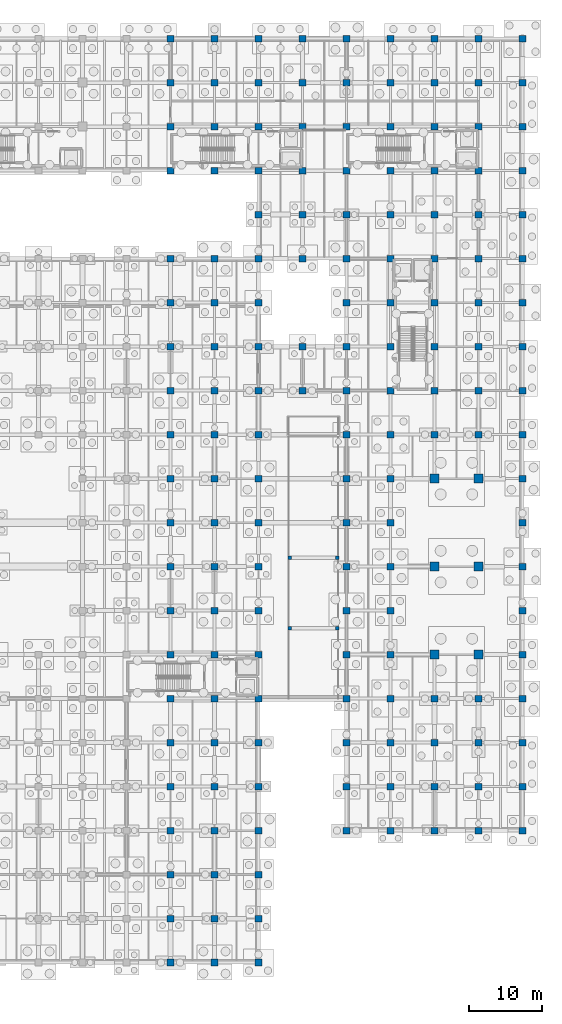
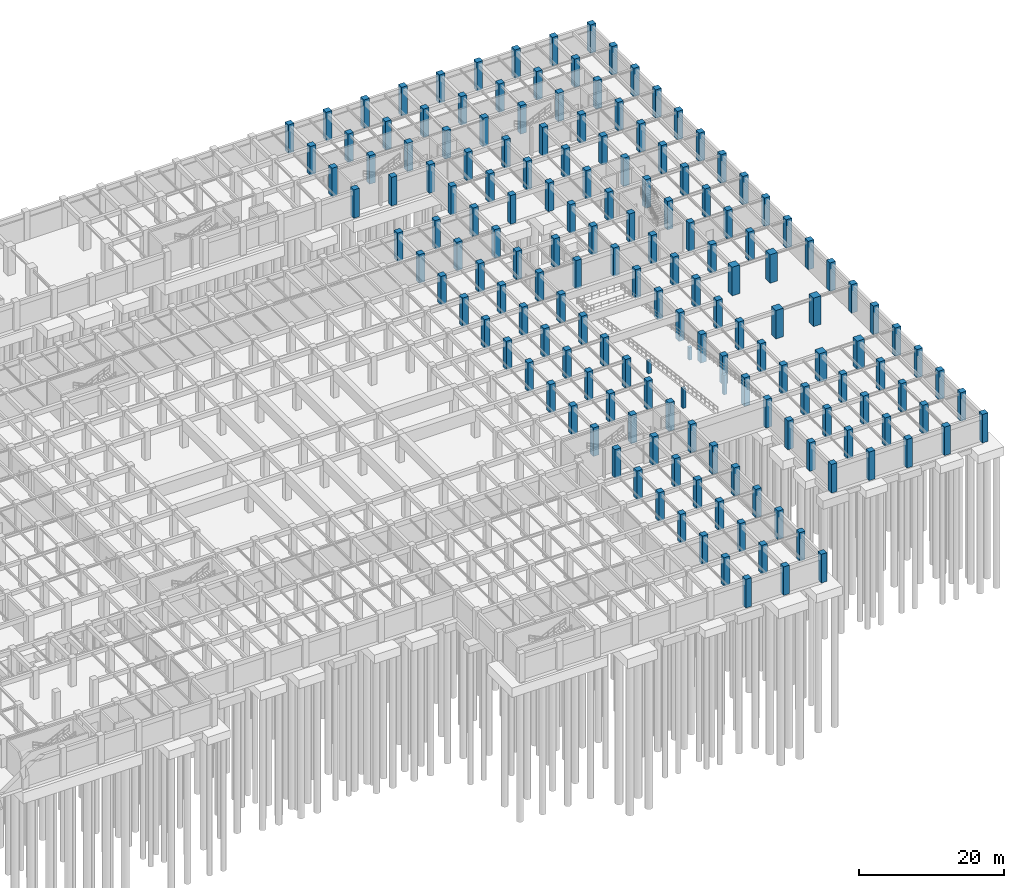
# One storey, part 25 of 54: 167 columns.
"""IFC4 building model written with IfcOpenShell, lengths in metres."""

from ifc_helpers import new_model, si_unit, direction, frame, origin, origin_2d, place, context, subcontext, project, spatial, rectangle, extrude, material, material_profile, profile_set, type_object, element, save


model = new_model("IFC4")

# Units and contexts
model_context = context("Model", 3, precision=1e-05, world=origin(), true_north=direction((0.0, 1.0)))
body_context = subcontext(model_context, "Body", "Model", "MODEL_VIEW")
ifc_project = project(units=[si_unit("LENGTHUNIT", "METRE"), si_unit("AREAUNIT", "SQUARE_METRE"), si_unit("VOLUMEUNIT", "CUBIC_METRE"), si_unit("PLANEANGLEUNIT", "RADIAN"), si_unit("MASSUNIT", "GRAM", prefix="KILO"), si_unit("THERMODYNAMICTEMPERATUREUNIT", "KELVIN"), si_unit("POWERUNIT", "WATT")], contexts=[model_context])

# Site, building, storey
site_placement = place(None, origin())
site = spatial("IfcSite", under=ifc_project, at=site_placement, CompositionType="ELEMENT")
building_placement = place(site_placement, origin())
building = spatial("IfcBuilding", under=site, at=building_placement, Name="Phaisarnlok Congress Hotel", CompositionType="ELEMENT")
storey_placement = place(building_placement, frame((0.0, 0.0, -4.800048828125)))
storey = spatial("IfcBuildingStorey", under=building, at=storey_placement, Name="B01", CompositionType="ELEMENT", Elevation=-4.800048828125)

# Columns
ifc_material = material(Name="Concrete C50/60", Category="concrete")
ifc_material_profile_1 = material_profile(ifc_material, rectangle(XDim=1.199951171875, YDim=1.199951171875, at=origin_2d()), Name="RC 1200x1200")
ifc_profile_set_1 = profile_set([ifc_material_profile_1], Name="Concrete C50/60")
column_type_1 = type_object("IfcColumnType", Name="COL-RC-1200", PredefinedType="COLUMN", material=ifc_profile_set_1)
for number, where, z_axis, x_axis, name in (
    (1, (168.0, 42.0, 0.0), (0.0, 0.0, 1.0), (1.0, 0.0, 0.0), "Column C-11 (B01)"),
    (2, (168.0, 54.0, 0.0), (0.0, 0.0, 1.0), (1.0, 0.0, 0.0), "Column C-11 (B01)"),
    (3, (168.0, 66.0, 0.0), (0.0, 0.0, 1.0), (1.0, 0.0, 0.0), "Column C-11 (B01)"),
    (4, (174.0, 42.0, 0.0), (0.0, 0.0, 1.0), (1.0, 0.0, 0.0), "Column C-11 (B01)"),
    (5, (174.0, 54.0, 0.0), (0.0, 0.0, 1.0), (1.0, 0.0, 0.0), "Column C-11 (B01)"),
    (6, (174.0, 66.0, 0.0), (0.0, 0.0, 1.0), (1.0, 0.0, 0.0), "Column C-11 (B01)"),
):
    element("IfcColumn", number, at=place(storey_placement, frame(where, z_axis=z_axis, x_axis=x_axis)), inside=storey, type_object=column_type_1, Name=name, PredefinedType="COLUMN", context=body_context, shape_type="SweptSolid", body=[
        extrude(rectangle(XDim=1.199951171875, YDim=1.199951171875, at=origin_2d()), origin(), (0.0, 0.0, 1.0), 4.800048828125),
    ])
ifc_material_profile_2 = material_profile(ifc_material, rectangle(XDim=0.5, YDim=0.5, at=origin_2d()), Name="RC 500x500")
ifc_profile_set_2 = profile_set([ifc_material_profile_2], Name="Concrete C50/60")
column_type_2 = type_object("IfcColumnType", Name="COL-RC-500", PredefinedType="COLUMN", material=ifc_profile_set_2)
for number, where, z_axis, x_axis, name in (
    (7, (148.25, 55.199951171875, 0.0), (0.0, 0.0, 1.0), (1.0, 0.0, 0.0), "Vehicle ramp support pier column C-01"),
    (8, (154.75, 55.199951171875, 0.0), (0.0, 0.0, 1.0), (1.0, 0.0, 0.0), "Vehicle ramp support pier column C-01"),
):
    element("IfcColumn", number, at=place(storey_placement, frame(where, z_axis=z_axis, x_axis=x_axis)), inside=storey, type_object=column_type_2, Name=name, PredefinedType="COLUMN", context=body_context, shape_type="SweptSolid", body=[
        extrude(rectangle(XDim=0.5, YDim=0.5, at=origin_2d()), origin(), (0.0, 0.0, 1.0), 2.10009765625),
    ])
for number, where, z_axis, x_axis, name in (
    (9, (148.25, 45.60009765625, 0.0), (0.0, 0.0, 1.0), (1.0, 0.0, 0.0), "Vehicle ramp support pier column C-01"),
    (10, (154.75, 45.60009765625, 0.0), (0.0, 0.0, 1.0), (1.0, 0.0, 0.0), "Vehicle ramp support pier column C-01"),
):
    element("IfcColumn", number, at=place(storey_placement, frame(where, z_axis=z_axis, x_axis=x_axis)), inside=storey, type_object=column_type_2, Name=name, PredefinedType="COLUMN", context=body_context, shape_type="SweptSolid", body=[
        extrude(rectangle(XDim=0.5, YDim=0.5, at=origin_2d()), origin(), (0.0, 0.0, 1.0), 3.300048828125),
    ])
ifc_material_profile_3 = material_profile(ifc_material, rectangle(XDim=0.89990234375, YDim=0.89990234375, at=origin_2d()), Name="RC 900x900")
ifc_profile_set_3 = profile_set([ifc_material_profile_3], Name="Concrete C50/60")
column_type_3 = type_object("IfcColumnType", Name="COL-RC-900", PredefinedType="COLUMN", material=ifc_profile_set_3)
for number, where, z_axis, x_axis, name in (
    (11, (132.0, 6.0, 0.0), (0.0, 0.0, 1.0), (1.0, 0.0, 0.0), "Column C-08 (B01)"),
    (12, (132.0, 12.0, 0.0), (0.0, 0.0, 1.0), (1.0, 0.0, 0.0), "Column C-08 (B01)"),
    (13, (132.0, 18.0, 0.0), (0.0, 0.0, 1.0), (1.0, 0.0, 0.0), "Column C-08 (B01)"),
    (14, (132.0, 24.0, 0.0), (0.0, 0.0, 1.0), (1.0, 0.0, 0.0), "Column C-08 (B01)"),
    (15, (132.0, 30.0, 0.0), (0.0, 0.0, 1.0), (1.0, 0.0, 0.0), "Column C-08 (B01)"),
    (16, (132.0, 36.0, 0.0), (0.0, 0.0, 1.0), (1.0, 0.0, 0.0), "Column C-08 (B01)"),
    (17, (132.0, 42.0, 0.0), (0.0, 0.0, 1.0), (1.0, 0.0, 0.0), "Column C-08 (B01)"),
    (18, (132.0, 48.0, 0.0), (0.0, 0.0, 1.0), (1.0, 0.0, 0.0), "Column C-08 (B01)"),
    (19, (132.0, 54.0, 0.0), (0.0, 0.0, 1.0), (1.0, 0.0, 0.0), "Column C-08 (B01)"),
    (20, (132.0, 60.0, 0.0), (0.0, 0.0, 1.0), (1.0, 0.0, 0.0), "Column C-08 (B01)"),
    (21, (132.0, 66.0, 0.0), (0.0, 0.0, 1.0), (1.0, 0.0, 0.0), "Column C-08 (B01)"),
    (22, (132.0, 72.0, 0.0), (0.0, 0.0, 1.0), (1.0, 0.0, 0.0), "Column C-08 (B01)"),
    (23, (132.0, 78.0, 0.0), (0.0, 0.0, 1.0), (1.0, 0.0, 0.0), "Column C-08 (B01)"),
    (24, (132.0, 84.0, 0.0), (0.0, 0.0, 1.0), (1.0, 0.0, 0.0), "Column C-08 (B01)"),
    (25, (132.0, 90.0, 0.0), (0.0, 0.0, 1.0), (1.0, 0.0, 0.0), "Column C-08 (B01)"),
    (26, (132.0, 96.0, 0.0), (0.0, 0.0, 1.0), (1.0, 0.0, 0.0), "Column C-08 (B01)"),
    (27, (132.0, 108.0, 0.0), (0.0, 0.0, 1.0), (1.0, 0.0, 0.0), "Column C-08 (B01)"),
    (28, (132.0, 114.0, 0.0), (0.0, 0.0, 1.0), (1.0, 0.0, 0.0), "Column C-08 (B01)"),
    (29, (132.0, 120.0, 0.0), (0.0, 0.0, 1.0), (1.0, 0.0, 0.0), "Column C-08 (B01)"),
    (30, (138.0, 6.0, 0.0), (0.0, 0.0, 1.0), (1.0, 0.0, 0.0), "Column C-08 (B01)"),
    (31, (138.0, 12.0, 0.0), (0.0, 0.0, 1.0), (1.0, 0.0, 0.0), "Column C-08 (B01)"),
    (32, (138.0, 18.0, 0.0), (0.0, 0.0, 1.0), (1.0, 0.0, 0.0), "Column C-08 (B01)"),
    (33, (138.0, 24.0, 0.0), (0.0, 0.0, 1.0), (1.0, 0.0, 0.0), "Column C-08 (B01)"),
    (34, (138.0, 30.0, 0.0), (0.0, 0.0, 1.0), (1.0, 0.0, 0.0), "Column C-08 (B01)"),
    (35, (138.0, 36.0, 0.0), (0.0, 0.0, 1.0), (1.0, 0.0, 0.0), "Column C-08 (B01)"),
    (36, (138.0, 42.0, 0.0), (0.0, 0.0, 1.0), (1.0, 0.0, 0.0), "Column C-08 (B01)"),
    (37, (138.0, 48.0, 0.0), (0.0, 0.0, 1.0), (1.0, 0.0, 0.0), "Column C-08 (B01)"),
    (38, (138.0, 54.0, 0.0), (0.0, 0.0, 1.0), (1.0, 0.0, 0.0), "Column C-08 (B01)"),
    (39, (138.0, 60.0, 0.0), (0.0, 0.0, 1.0), (1.0, 0.0, 0.0), "Column C-08 (B01)"),
    (40, (138.0, 66.0, 0.0), (0.0, 0.0, 1.0), (1.0, 0.0, 0.0), "Column C-08 (B01)"),
    (41, (138.0, 72.0, 0.0), (0.0, 0.0, 1.0), (1.0, 0.0, 0.0), "Column C-08 (B01)"),
    (42, (138.0, 78.0, 0.0), (0.0, 0.0, 1.0), (1.0, 0.0, 0.0), "Column C-08 (B01)"),
    (43, (138.0, 84.0, 0.0), (0.0, 0.0, 1.0), (1.0, 0.0, 0.0), "Column C-08 (B01)"),
    (44, (138.0, 90.0, 0.0), (0.0, 0.0, 1.0), (1.0, 0.0, 0.0), "Column C-08 (B01)"),
    (45, (138.0, 96.0, 0.0), (0.0, 0.0, 1.0), (1.0, 0.0, 0.0), "Column C-08 (B01)"),
    (46, (138.0, 108.0, 0.0), (0.0, 0.0, 1.0), (1.0, 0.0, 0.0), "Column C-08 (B01)"),
    (47, (138.0, 114.0, 0.0), (0.0, 0.0, 1.0), (1.0, 0.0, 0.0), "Column C-08 (B01)"),
    (48, (138.0, 120.0, 0.0), (0.0, 0.0, 1.0), (1.0, 0.0, 0.0), "Column C-08 (B01)"),
    (49, (144.0, 6.0, 0.0), (0.0, 0.0, 1.0), (1.0, 0.0, 0.0), "Column C-08 (B01)"),
    (50, (144.0, 12.0, 0.0), (0.0, 0.0, 1.0), (1.0, 0.0, 0.0), "Column C-08 (B01)"),
    (51, (144.0, 18.0, 0.0), (0.0, 0.0, 1.0), (1.0, 0.0, 0.0), "Column C-08 (B01)"),
    (52, (144.0, 24.0, 0.0), (0.0, 0.0, 1.0), (1.0, 0.0, 0.0), "Column C-08 (B01)"),
    (53, (144.0, 30.0, 0.0), (0.0, 0.0, 1.0), (1.0, 0.0, 0.0), "Column C-08 (B01)"),
    (54, (144.0, 36.0, 0.0), (0.0, 0.0, 1.0), (1.0, 0.0, 0.0), "Column C-08 (B01)"),
    (55, (144.0, 42.0, 0.0), (0.0, 0.0, 1.0), (1.0, 0.0, 0.0), "Column C-08 (B01)"),
    (56, (144.0, 48.0, 0.0), (0.0, 0.0, 1.0), (1.0, 0.0, 0.0), "Column C-08 (B01)"),
    (57, (144.0, 54.0, 0.0), (0.0, 0.0, 1.0), (1.0, 0.0, 0.0), "Column C-08 (B01)"),
    (58, (144.0, 60.0, 0.0), (0.0, 0.0, 1.0), (1.0, 0.0, 0.0), "Column C-08 (B01)"),
    (59, (144.0, 66.0, 0.0), (0.0, 0.0, 1.0), (1.0, 0.0, 0.0), "Column C-08 (B01)"),
    (60, (144.0, 72.0, 0.0), (0.0, 0.0, 1.0), (1.0, 0.0, 0.0), "Column C-08 (B01)"),
    (61, (144.0, 78.0, 0.0), (0.0, 0.0, 1.0), (1.0, 0.0, 0.0), "Column C-08 (B01)"),
    (62, (144.0, 84.0, 0.0), (0.0, 0.0, 1.0), (1.0, 0.0, 0.0), "Column C-08 (B01)"),
    (63, (144.0, 90.0, 0.0), (0.0, 0.0, 1.0), (1.0, 0.0, 0.0), "Column C-08 (B01)"),
    (64, (144.0, 96.0, 0.0), (0.0, 0.0, 1.0), (1.0, 0.0, 0.0), "Column C-08 (B01)"),
    (65, (144.0, 102.0, 0.0), (0.0, 0.0, 1.0), (1.0, 0.0, 0.0), "Column C-08 (B01)"),
    (66, (144.0, 108.0, 0.0), (0.0, 0.0, 1.0), (1.0, 0.0, 0.0), "Column C-08 (B01)"),
    (67, (144.0, 114.0, 0.0), (0.0, 0.0, 1.0), (1.0, 0.0, 0.0), "Column C-08 (B01)"),
    (68, (144.0, 120.0, 0.0), (0.0, 0.0, 1.0), (1.0, 0.0, 0.0), "Column C-08 (B01)"),
    (69, (150.0, 78.0, 0.0), (0.0, 0.0, 1.0), (1.0, 0.0, 0.0), "Column C-08 (B01)"),
    (70, (150.0, 84.0, 0.0), (0.0, 0.0, 1.0), (1.0, 0.0, 0.0), "Column C-08 (B01)"),
    (71, (150.0, 96.0, 0.0), (0.0, 0.0, 1.0), (1.0, 0.0, 0.0), "Column C-08 (B01)"),
    (72, (150.0, 102.0, 0.0), (0.0, 0.0, 1.0), (1.0, 0.0, 0.0), "Column C-08 (B01)"),
    (73, (150.0, 108.0, 0.0), (0.0, 0.0, 1.0), (1.0, 0.0, 0.0), "Column C-08 (B01)"),
    (74, (150.0, 114.0, 0.0), (0.0, 0.0, 1.0), (1.0, 0.0, 0.0), "Column C-08 (B01)"),
    (75, (150.0, 120.0, 0.0), (0.0, 0.0, 1.0), (1.0, 0.0, 0.0), "Column C-08 (B01)"),
    (76, (156.0, 18.0, 0.0), (0.0, 0.0, 1.0), (1.0, 0.0, 0.0), "Column C-08 (B01)"),
    (77, (156.0, 24.0, 0.0), (0.0, 0.0, 1.0), (1.0, 0.0, 0.0), "Column C-08 (B01)"),
    (78, (156.0, 30.0, 0.0), (0.0, 0.0, 1.0), (1.0, 0.0, 0.0), "Column C-08 (B01)"),
    (79, (156.0, 36.0, 0.0), (0.0, 0.0, 1.0), (1.0, 0.0, 0.0), "Column C-08 (B01)"),
    (80, (156.0, 42.0, 0.0), (0.0, 0.0, 1.0), (1.0, 0.0, 0.0), "Column C-08 (B01)"),
    (81, (156.0, 48.0, 0.0), (0.0, 0.0, 1.0), (1.0, 0.0, 0.0), "Column C-08 (B01)"),
    (82, (156.0, 54.0, 0.0), (0.0, 0.0, 1.0), (1.0, 0.0, 0.0), "Column C-08 (B01)"),
    (83, (156.0, 60.0, 0.0), (0.0, 0.0, 1.0), (1.0, 0.0, 0.0), "Column C-08 (B01)"),
    (84, (156.0, 66.0, 0.0), (0.0, 0.0, 1.0), (1.0, 0.0, 0.0), "Column C-08 (B01)"),
    (85, (156.0, 72.0, 0.0), (0.0, 0.0, 1.0), (1.0, 0.0, 0.0), "Column C-08 (B01)"),
    (86, (156.0, 78.0, 0.0), (0.0, 0.0, 1.0), (1.0, 0.0, 0.0), "Column C-08 (B01)"),
    (87, (156.0, 84.0, 0.0), (0.0, 0.0, 1.0), (1.0, 0.0, 0.0), "Column C-08 (B01)"),
    (88, (156.0, 90.0, 0.0), (0.0, 0.0, 1.0), (1.0, 0.0, 0.0), "Column C-08 (B01)"),
    (89, (156.0, 96.0, 0.0), (0.0, 0.0, 1.0), (1.0, 0.0, 0.0), "Column C-08 (B01)"),
    (90, (156.0, 102.0, 0.0), (0.0, 0.0, 1.0), (1.0, 0.0, 0.0), "Column C-08 (B01)"),
    (91, (156.0, 108.0, 0.0), (0.0, 0.0, 1.0), (1.0, 0.0, 0.0), "Column C-08 (B01)"),
    (92, (156.0, 114.0, 0.0), (0.0, 0.0, 1.0), (1.0, 0.0, 0.0), "Column C-08 (B01)"),
    (93, (156.0, 120.0, 0.0), (0.0, 0.0, 1.0), (1.0, 0.0, 0.0), "Column C-08 (B01)"),
    (94, (162.0, 18.0, 0.0), (0.0, 0.0, 1.0), (1.0, 0.0, 0.0), "Column C-08 (B01)"),
    (95, (162.0, 24.0, 0.0), (0.0, 0.0, 1.0), (1.0, 0.0, 0.0), "Column C-08 (B01)"),
    (96, (162.0, 30.0, 0.0), (0.0, 0.0, 1.0), (1.0, 0.0, 0.0), "Column C-08 (B01)"),
    (97, (162.0, 36.0, 0.0), (0.0, 0.0, 1.0), (1.0, 0.0, 0.0), "Column C-08 (B01)"),
    (98, (162.0, 42.0, 0.0), (0.0, 0.0, 1.0), (1.0, 0.0, 0.0), "Column C-08 (B01)"),
    (99, (162.0, 48.0, 0.0), (0.0, 0.0, 1.0), (1.0, 0.0, 0.0), "Column C-08 (B01)"),
    (100, (162.0, 54.0, 0.0), (0.0, 0.0, 1.0), (1.0, 0.0, 0.0), "Column C-08 (B01)"),
    (101, (162.0, 60.0, 0.0), (0.0, 0.0, 1.0), (1.0, 0.0, 0.0), "Column C-08 (B01)"),
    (102, (162.0, 66.0, 0.0), (0.0, 0.0, 1.0), (1.0, 0.0, 0.0), "Column C-08 (B01)"),
    (103, (162.0, 72.0, 0.0), (0.0, 0.0, 1.0), (1.0, 0.0, 0.0), "Column C-08 (B01)"),
    (104, (162.0, 78.0, 0.0), (0.0, 0.0, 1.0), (1.0, 0.0, 0.0), "Column C-08 (B01)"),
    (105, (162.0, 84.0, 0.0), (0.0, 0.0, 1.0), (1.0, 0.0, 0.0), "Column C-08 (B01)"),
    (106, (162.0, 90.0, 0.0), (0.0, 0.0, 1.0), (1.0, 0.0, 0.0), "Column C-08 (B01)"),
    (107, (162.0, 96.0, 0.0), (0.0, 0.0, 1.0), (1.0, 0.0, 0.0), "Column C-08 (B01)"),
    (108, (162.0, 102.0, 0.0), (0.0, 0.0, 1.0), (1.0, 0.0, 0.0), "Column C-08 (B01)"),
    (109, (162.0, 108.0, 0.0), (0.0, 0.0, 1.0), (1.0, 0.0, 0.0), "Column C-08 (B01)"),
    (110, (162.0, 114.0, 0.0), (0.0, 0.0, 1.0), (1.0, 0.0, 0.0), "Column C-08 (B01)"),
    (111, (162.0, 120.0, 0.0), (0.0, 0.0, 1.0), (1.0, 0.0, 0.0), "Column C-08 (B01)"),
    (112, (168.0, 18.0, 0.0), (0.0, 0.0, 1.0), (1.0, 0.0, 0.0), "Column C-08 (B01)"),
    (113, (168.0, 24.0, 0.0), (0.0, 0.0, 1.0), (1.0, 0.0, 0.0), "Column C-08 (B01)"),
    (114, (168.0, 30.0, 0.0), (0.0, 0.0, 1.0), (1.0, 0.0, 0.0), "Column C-08 (B01)"),
    (115, (168.0, 36.0, 0.0), (0.0, 0.0, 1.0), (1.0, 0.0, 0.0), "Column C-08 (B01)"),
    (116, (168.0, 72.0, 0.0), (0.0, 0.0, 1.0), (1.0, 0.0, 0.0), "Column C-08 (B01)"),
    (117, (168.0, 78.0, 0.0), (0.0, 0.0, 1.0), (1.0, 0.0, 0.0), "Column C-08 (B01)"),
    (118, (168.0, 84.0, 0.0), (0.0, 0.0, 1.0), (1.0, 0.0, 0.0), "Column C-08 (B01)"),
    (119, (168.0, 90.0, 0.0), (0.0, 0.0, 1.0), (1.0, 0.0, 0.0), "Column C-08 (B01)"),
    (120, (168.0, 96.0, 0.0), (0.0, 0.0, 1.0), (1.0, 0.0, 0.0), "Column C-08 (B01)"),
    (121, (168.0, 102.0, 0.0), (0.0, 0.0, 1.0), (1.0, 0.0, 0.0), "Column C-08 (B01)"),
    (122, (168.0, 108.0, 0.0), (0.0, 0.0, 1.0), (1.0, 0.0, 0.0), "Column C-08 (B01)"),
    (123, (168.0, 114.0, 0.0), (0.0, 0.0, 1.0), (1.0, 0.0, 0.0), "Column C-08 (B01)"),
    (124, (168.0, 120.0, 0.0), (0.0, 0.0, 1.0), (1.0, 0.0, 0.0), "Column C-08 (B01)"),
    (125, (174.0, 18.0, 0.0), (0.0, 0.0, 1.0), (1.0, 0.0, 0.0), "Column C-08 (B01)"),
    (126, (174.0, 24.0, 0.0), (0.0, 0.0, 1.0), (1.0, 0.0, 0.0), "Column C-08 (B01)"),
    (127, (174.0, 30.0, 0.0), (0.0, 0.0, 1.0), (1.0, 0.0, 0.0), "Column C-08 (B01)"),
    (128, (174.0, 36.0, 0.0), (0.0, 0.0, 1.0), (1.0, 0.0, 0.0), "Column C-08 (B01)"),
    (129, (174.0, 72.0, 0.0), (0.0, 0.0, 1.0), (1.0, 0.0, 0.0), "Column C-08 (B01)"),
    (130, (174.0, 78.0, 0.0), (0.0, 0.0, 1.0), (1.0, 0.0, 0.0), "Column C-08 (B01)"),
    (131, (174.0, 84.0, 0.0), (0.0, 0.0, 1.0), (1.0, 0.0, 0.0), "Column C-08 (B01)"),
    (132, (174.0, 90.0, 0.0), (0.0, 0.0, 1.0), (1.0, 0.0, 0.0), "Column C-08 (B01)"),
    (133, (174.0, 96.0, 0.0), (0.0, 0.0, 1.0), (1.0, 0.0, 0.0), "Column C-08 (B01)"),
    (134, (174.0, 102.0, 0.0), (0.0, 0.0, 1.0), (1.0, 0.0, 0.0), "Column C-08 (B01)"),
    (135, (174.0, 108.0, 0.0), (0.0, 0.0, 1.0), (1.0, 0.0, 0.0), "Column C-08 (B01)"),
    (136, (174.0, 114.0, 0.0), (0.0, 0.0, 1.0), (1.0, 0.0, 0.0), "Column C-08 (B01)"),
    (137, (174.0, 120.0, 0.0), (0.0, 0.0, 1.0), (1.0, 0.0, 0.0), "Column C-08 (B01)"),
):
    element("IfcColumn", number, at=place(storey_placement, frame(where, z_axis=z_axis, x_axis=x_axis)), inside=storey, type_object=column_type_3, Name=name, PredefinedType="COLUMN", context=body_context, shape_type="SweptSolid", body=[
        extrude(rectangle(XDim=0.89990234375, YDim=0.89990234375, at=origin_2d()), origin(), (0.0, 0.0, 1.0), 4.800048828125),
    ])
ifc_material_profile_4 = material_profile(ifc_material, rectangle(XDim=0.89990234375, YDim=0.89990234375, at=origin_2d()), Name="RC 900x900")
ifc_profile_set_4 = profile_set([ifc_material_profile_4], Name="Concrete C50/60")
column_type_4 = type_object("IfcColumnType", Name="COL-RC-900-EXT", PredefinedType="COLUMN", material=ifc_profile_set_4)
for number, where, z_axis, x_axis, name in (
    (138, (132.0, 0.0, 0.0), (0.0, 0.0, 1.0), (1.0, 0.0, 0.0), "Column C-08E (B01)"),
    (139, (132.0, 126.0, 0.0), (0.0, 0.0, 1.0), (1.0, 0.0, 0.0), "Column C-08E (B01)"),
    (140, (138.0, 0.0, 0.0), (0.0, 0.0, 1.0), (1.0, 0.0, 0.0), "Column C-08E (B01)"),
    (141, (138.0, 126.0, 0.0), (0.0, 0.0, 1.0), (1.0, 0.0, 0.0), "Column C-08E (B01)"),
    (142, (144.0, 0.0, 0.0), (0.0, 0.0, 1.0), (1.0, 0.0, 0.0), "Column C-08E (B01)"),
    (143, (144.0, 126.0, 0.0), (0.0, 0.0, 1.0), (1.0, 0.0, 0.0), "Column C-08E (B01)"),
    (144, (150.0, 126.0, 0.0), (0.0, 0.0, 1.0), (1.0, 0.0, 0.0), "Column C-08E (B01)"),
    (145, (156.0, 126.0, 0.0), (0.0, 0.0, 1.0), (1.0, 0.0, 0.0), "Column C-08E (B01)"),
    (146, (162.0, 126.0, 0.0), (0.0, 0.0, 1.0), (1.0, 0.0, 0.0), "Column C-08E (B01)"),
    (147, (168.0, 126.0, 0.0), (0.0, 0.0, 1.0), (1.0, 0.0, 0.0), "Column C-08E (B01)"),
    (148, (174.0, 126.0, 0.0), (0.0, 0.0, 1.0), (1.0, 0.0, 0.0), "Column C-08E (B01)"),
    (149, (180.0, 18.0, 0.0), (0.0, 0.0, 1.0), (1.0, 0.0, 0.0), "Column C-08E (B01)"),
    (150, (180.0, 24.0, 0.0), (0.0, 0.0, 1.0), (1.0, 0.0, 0.0), "Column C-08E (B01)"),
    (151, (180.0, 30.0, 0.0), (0.0, 0.0, 1.0), (1.0, 0.0, 0.0), "Column C-08E (B01)"),
    (152, (180.0, 36.0, 0.0), (0.0, 0.0, 1.0), (1.0, 0.0, 0.0), "Column C-08E (B01)"),
    (153, (180.0, 42.0, 0.0), (0.0, 0.0, 1.0), (1.0, 0.0, 0.0), "Column C-08E (B01)"),
    (154, (180.0, 48.0, 0.0), (0.0, 0.0, 1.0), (1.0, 0.0, 0.0), "Column C-08E (B01)"),
    (155, (180.0, 54.0, 0.0), (0.0, 0.0, 1.0), (1.0, 0.0, 0.0), "Column C-08E (B01)"),
    (156, (180.0, 60.0, 0.0), (0.0, 0.0, 1.0), (1.0, 0.0, 0.0), "Column C-08E (B01)"),
    (157, (180.0, 66.0, 0.0), (0.0, 0.0, 1.0), (1.0, 0.0, 0.0), "Column C-08E (B01)"),
    (158, (180.0, 72.0, 0.0), (0.0, 0.0, 1.0), (1.0, 0.0, 0.0), "Column C-08E (B01)"),
    (159, (180.0, 78.0, 0.0), (0.0, 0.0, 1.0), (1.0, 0.0, 0.0), "Column C-08E (B01)"),
    (160, (180.0, 84.0, 0.0), (0.0, 0.0, 1.0), (1.0, 0.0, 0.0), "Column C-08E (B01)"),
    (161, (180.0, 90.0, 0.0), (0.0, 0.0, 1.0), (1.0, 0.0, 0.0), "Column C-08E (B01)"),
    (162, (180.0, 96.0, 0.0), (0.0, 0.0, 1.0), (1.0, 0.0, 0.0), "Column C-08E (B01)"),
    (163, (180.0, 102.0, 0.0), (0.0, 0.0, 1.0), (1.0, 0.0, 0.0), "Column C-08E (B01)"),
    (164, (180.0, 108.0, 0.0), (0.0, 0.0, 1.0), (1.0, 0.0, 0.0), "Column C-08E (B01)"),
    (165, (180.0, 114.0, 0.0), (0.0, 0.0, 1.0), (1.0, 0.0, 0.0), "Column C-08E (B01)"),
    (166, (180.0, 120.0, 0.0), (0.0, 0.0, 1.0), (1.0, 0.0, 0.0), "Column C-08E (B01)"),
    (167, (180.0, 126.0, 0.0), (0.0, 0.0, 1.0), (1.0, 0.0, 0.0), "Column C-08E (B01)"),
):
    element("IfcColumn", number, at=place(storey_placement, frame(where, z_axis=z_axis, x_axis=x_axis)), inside=storey, type_object=column_type_4, Name=name, PredefinedType="COLUMN", context=body_context, shape_type="SweptSolid", body=[
        extrude(rectangle(XDim=0.89990234375, YDim=0.89990234375, at=origin_2d()), origin(), (0.0, 0.0, 1.0), 4.800048828125),
    ])

save(model, "model.ifc")
